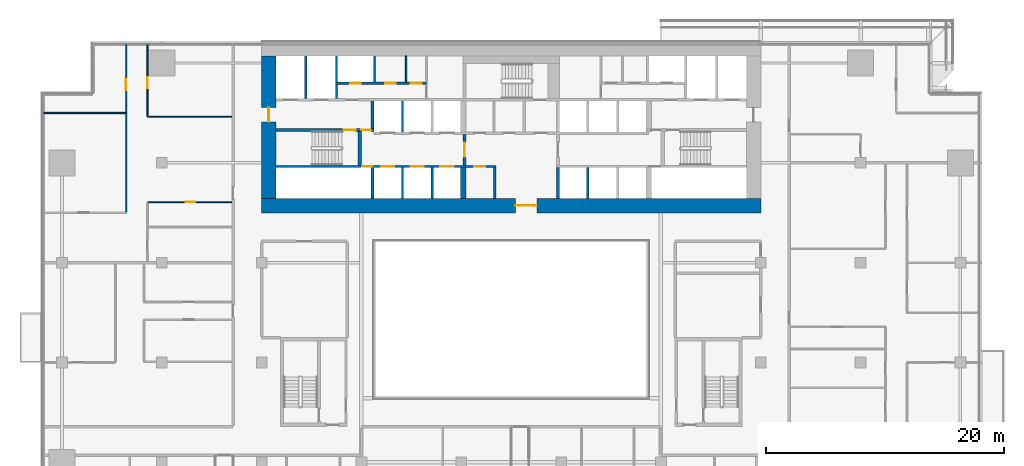
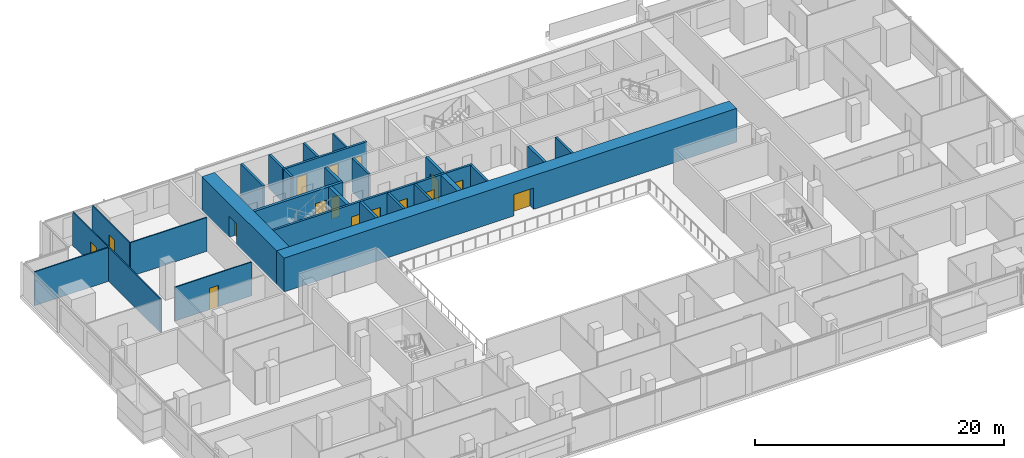
# One storey, part 20 of 29: 26 walls, 16 doors, 16 openings.
"""IFC4 building model written with IfcOpenShell, lengths in metres."""

from ifc_helpers import new_model, si_unit, direction, frame, frame_2d, origin, place, context, subcontext, project, spatial, rectangle, extrude, material, layer, layer_set, type_object, element, fill, save


model = new_model("IFC4")

# Units and contexts
model_context = context("Model", 3, precision=1e-05, world=origin(), true_north=direction((0.0, 1.0)))
body_context = subcontext(model_context, "Body", "Model", "MODEL_VIEW")
ifc_project = project(units=[si_unit("LENGTHUNIT", "METRE"), si_unit("AREAUNIT", "SQUARE_METRE"), si_unit("VOLUMEUNIT", "CUBIC_METRE"), si_unit("PLANEANGLEUNIT", "RADIAN"), si_unit("MASSUNIT", "GRAM", prefix="KILO")], contexts=[model_context])

# Site, building, storey
site_placement = place(None, origin())
site = spatial("IfcSite", under=ifc_project, at=site_placement, CompositionType="ELEMENT")
building_placement = place(site_placement, origin())
building = spatial("IfcBuilding", under=site, at=building_placement, Name="Saffron Gate Tower", CompositionType="ELEMENT")
storey_placement = place(building_placement, frame((0.0, 0.0, 58.800048828125)))
storey = spatial("IfcBuildingStorey", under=building, at=storey_placement, Name="L13", CompositionType="ELEMENT", Elevation=58.800048828125)

# Wall, opening, door
ifc_material_1 = material(Name="Concrete C70", Category="concrete")
ifc_layer_1 = layer(ifc_material_1, 1.199951171875)
ifc_layer_set_1 = layer_set([ifc_layer_1], Name="CW1 RC core wall 1200 C70")
wall_type_1 = type_object("IfcWallType", Name="CW1 RC core wall 1200 C70", PredefinedType="SOLIDWALL", material=ifc_layer_set_1)
wall_1_placement = place(storey_placement, frame((66.60009765625, 61.800048828125, 0.0), z_axis=(0.0, 0.0, 1.0), x_axis=(1.0, 0.0, 0.0)))
wall_1 = element("IfcWall", 1, at=wall_1_placement, inside=storey, type_object=wall_type_1, Name="Wall CW1-L13-1", PredefinedType="SOLIDWALL", context=body_context, shape_type="SweptSolid", body=[
    extrude(rectangle(XDim=42.0, YDim=1.199951171875, at=frame_2d((21.0, 0.0))), origin(), (0.0, 0.0, 1.0), 3.320068359375),
])
opening_1_placement = place(wall_1_placement, frame((21.35009765625, 0.0, 0.0)))
opening_1 = element("IfcOpeningElement", 2, at=opening_1_placement, cuts=wall_1, Name="Opening CR-09", PredefinedType="OPENING", context=body_context, shape_type="SweptSolid", body=[
    extrude(rectangle(XDim=1.800048828125, YDim=2.10009765625, at=frame_2d((0.89990234375, 1.050048828125))), frame((0.0, 0.60986328125, 0.0), z_axis=(0.0, -1.0, 0.0), x_axis=(1.0, 0.0, 0.0)), (0.0, 0.0, 1.0), 1.219970703125),
])
ifc_material_2 = material(Name="Steel fire door set", Category="steel")
door_type_1 = type_object("IfcDoorType", Name="CD1 Core entrance door 1800x2100 EI 120", OperationType="NOTDEFINED", PredefinedType="DOOR", material=ifc_material_2)
door_1_placement = place(opening_1_placement, origin())
door_1 = element("IfcDoor", 3, at=door_1_placement, inside=storey, type_object=door_type_1, Name="DOOR CR-09", OperationType="DOUBLE_DOOR_SINGLE_SWING", OverallHeight=2.10009765625, OverallWidth=1.800048828125, PredefinedType="DOOR", context=body_context, shape_type="SweptSolid", body=[
    extrude(rectangle(XDim=1.800048828125, YDim=2.10009765625, at=frame_2d((0.89990234375, 1.050048828125))), frame((0.0, 0.02490234375, 0.0), z_axis=(0.0, -1.0, 0.0), x_axis=(1.0, 0.0, 0.0)), (0.0, 0.0, 1.0), 0.050048828125),
])
fill(opening_1, door_1)

wall_2_placement = place(storey_placement, frame((67.199951171875, 62.39990234375, 0.0), z_axis=(0.0, 0.0, 1.0), x_axis=(0.0, 1.0, 0.0)))
wall_2 = element("IfcWall", 4, at=wall_2_placement, inside=storey, type_object=wall_type_1, Name="Wall CW1-L13-3", PredefinedType="SOLIDWALL", context=body_context, shape_type="SweptSolid", body=[
    extrude(rectangle(XDim=12.0, YDim=1.199951171875, at=frame_2d((6.0, 0.0))), origin(), (0.0, 0.0, 1.0), 3.320068359375),
])
opening_2_placement = place(wall_2_placement, frame((6.449951171875, 0.0, 0.0)))
opening_2 = element("IfcOpeningElement", 5, at=opening_2_placement, cuts=wall_2, Name="Opening CR-10", PredefinedType="OPENING", context=body_context, shape_type="SweptSolid", body=[
    extrude(rectangle(XDim=1.199951171875, YDim=2.10009765625, at=frame_2d((0.60009765625, 1.050048828125))), frame((0.0, 0.60986328125, 0.0), z_axis=(0.0, -1.0, 0.0), x_axis=(1.0, 0.0, 0.0)), (0.0, 0.0, 1.0), 1.219970703125),
])
door_type_2 = type_object("IfcDoorType", Name="CD7 Core entrance door 1200x2100 EI 120", OperationType="NOTDEFINED", PredefinedType="DOOR", material=ifc_material_2)
door_2_placement = place(opening_2_placement, origin())
door_2 = element("IfcDoor", 6, at=door_2_placement, inside=storey, type_object=door_type_2, Name="DOOR CR-10", OperationType="SINGLE_SWING_LEFT", OverallHeight=2.10009765625, OverallWidth=1.199951171875, PredefinedType="DOOR", context=body_context, shape_type="SweptSolid", body=[
    extrude(rectangle(XDim=1.199951171875, YDim=2.10009765625, at=frame_2d((0.60009765625, 1.050048828125))), frame((0.0, 0.02490234375, 0.0), z_axis=(0.0, -1.0, 0.0), x_axis=(1.0, 0.0, 0.0)), (0.0, 0.0, 1.0), 0.050048828125),
])
fill(opening_2, door_2)

# Walls
ifc_material_3 = material(Name="Gypsum board partition on steel studs", Category="steel")
ifc_layer_2 = layer(ifc_material_3, 0.199951171875)
ifc_layer_set_2 = layer_set([ifc_layer_2], Name="CW10 Core partition 200")
wall_type_2 = type_object("IfcWallType", Name="CW10 Core partition 200", PredefinedType="PARTITIONING", material=ifc_layer_set_2)
wall_3_placement = place(storey_placement, frame((86.199951171875, 62.39990234375, 0.0), z_axis=(0.0, 0.0, 1.0), x_axis=(0.0, 1.0, 0.0)))
element("IfcWall", 7, at=wall_3_placement, inside=storey, type_object=wall_type_2, Name="Wall CW10-L13-9", PredefinedType="PARTITIONING", context=body_context, shape_type="SweptSolid", body=[
    extrude(rectangle(XDim=2.60009765625, YDim=0.199951171875, at=frame_2d((1.300048828125, 0.0))), origin(), (0.0, 0.0, 1.0), 3.320068359375),
])
ifc_layer_3 = layer(ifc_material_1, 0.25)
ifc_layer_set_3 = layer_set([ifc_layer_3], Name="CW2 RC core wall 250 C70")
wall_type_3 = type_object("IfcWallType", Name="CW2 RC core wall 250 C70", PredefinedType="SOLIDWALL", material=ifc_layer_set_3)
for number, where, z_axis, x_axis, name in (
    (8, (75.925048828125, 62.39990234375, 0.0), (0.0, 0.0, 1.0), (0.0, 1.0, 0.0), "Wall CW2-L13-5"),
    (9, (91.52490234375, 62.39990234375, 0.0), (0.0, 0.0, 1.0), (0.0, 1.0, 0.0), "Wall CW2-L13-10"),
):
    element("IfcWall", number, at=place(storey_placement, frame(where, z_axis=z_axis, x_axis=x_axis)), inside=storey, type_object=wall_type_3, Name=name, PredefinedType="SOLIDWALL", context=body_context, shape_type="SweptSolid", body=[
        extrude(rectangle(XDim=2.60009765625, YDim=0.25, at=frame_2d((1.300048828125, 0.0))), origin(), (0.0, 0.0, 1.0), 3.320068359375),
    ])

# Wall, opening, door
wall_4_placement = place(storey_placement, frame((83.675048828125, 65.199951171875, 0.0), z_axis=(0.0, 0.0, 1.0), x_axis=(0.0, 1.0, 0.0)))
wall_4 = element("IfcWall", 10, at=wall_4_placement, inside=storey, type_object=wall_type_3, Name="Wall CW2-L13-17", PredefinedType="SOLIDWALL", context=body_context, shape_type="SweptSolid", body=[
    extrude(rectangle(XDim=2.60009765625, YDim=0.25, at=frame_2d((1.300048828125, 0.0))), origin(), (0.0, 0.0, 1.0), 3.320068359375),
])
opening_3_placement = place(wall_4_placement, frame((0.699951171875, 0.0, 0.0)))
opening_3 = element("IfcOpeningElement", 11, at=opening_3_placement, cuts=wall_4, Name="Opening CR-07", PredefinedType="OPENING", context=body_context, shape_type="SweptSolid", body=[
    extrude(rectangle(XDim=1.199951171875, YDim=2.10009765625, at=frame_2d((0.60009765625, 1.050048828125))), frame((0.0, 0.135009765625, 0.0), z_axis=(0.0, -1.0, 0.0), x_axis=(1.0, 0.0, 0.0)), (0.0, 0.0, 1.0), 0.27001953125),
])
door_type_3 = type_object("IfcDoorType", Name="CD3 Lobby door 1200x2100 EI 120", OperationType="NOTDEFINED", PredefinedType="DOOR", material=ifc_material_2)
door_3_placement = place(opening_3_placement, origin())
door_3 = element("IfcDoor", 12, at=door_3_placement, inside=storey, type_object=door_type_3, Name="DOOR CR-07", OperationType="SINGLE_SWING_RIGHT", OverallHeight=2.10009765625, OverallWidth=1.199951171875, PredefinedType="DOOR", context=body_context, shape_type="SweptSolid", body=[
    extrude(rectangle(XDim=1.199951171875, YDim=2.10009765625, at=frame_2d((0.60009765625, 1.050048828125))), frame((0.0, 0.02490234375, 0.0), z_axis=(0.0, -1.0, 0.0), x_axis=(1.0, 0.0, 0.0)), (0.0, 0.0, 1.0), 0.050048828125),
])
fill(opening_3, door_3)

# Wall, openings, doors
wall_5_placement = place(storey_placement, frame((67.800048828125, 68.175048828125, 0.0), z_axis=(0.0, 0.0, 1.0), x_axis=(1.0, 0.0, 0.0)))
wall_5 = element("IfcWall", 13, at=wall_5_placement, inside=storey, type_object=wall_type_3, Name="Wall CW2-L13-30", PredefinedType="SOLIDWALL", context=body_context, shape_type="SweptSolid", body=[
    extrude(rectangle(XDim=8.25, YDim=0.25, at=frame_2d((4.125, 0.0))), origin(), (0.0, 0.0, 1.0), 3.320068359375),
])
opening_4_placement = place(wall_5_placement, frame((5.699951171875, 0.0, 0.0)))
opening_4 = element("IfcOpeningElement", 14, at=opening_4_placement, cuts=wall_5, Name="Opening CR-15", PredefinedType="OPENING", context=body_context, shape_type="SweptSolid", body=[
    extrude(rectangle(XDim=1.0, YDim=2.10009765625, at=frame_2d((0.5, 1.050048828125))), frame((0.0, 0.135009765625, 0.0), z_axis=(0.0, -1.0, 0.0), x_axis=(1.0, 0.0, 0.0)), (0.0, 0.0, 1.0), 0.27001953125),
])
opening_5_placement = place(wall_5_placement, frame((7.199951171875, 0.0, 0.0)))
opening_5 = element("IfcOpeningElement", 15, at=opening_5_placement, cuts=wall_5, Name="Opening CR-06", PredefinedType="OPENING", context=body_context, shape_type="SweptSolid", body=[
    extrude(rectangle(XDim=0.800048828125, YDim=2.10009765625, at=frame_2d((0.39990234375, 1.050048828125))), frame((0.0, 0.135009765625, 0.0), z_axis=(0.0, -1.0, 0.0), x_axis=(1.0, 0.0, 0.0)), (0.0, 0.0, 1.0), 0.27001953125),
])
door_type_4 = type_object("IfcDoorType", Name="CD5 Stair door 1000x2100 EI 120", OperationType="NOTDEFINED", PredefinedType="DOOR", material=ifc_material_2)
door_4_placement = place(opening_4_placement, origin())
door_4 = element("IfcDoor", 16, at=door_4_placement, inside=storey, type_object=door_type_4, Name="DOOR CR-15", OperationType="SINGLE_SWING_RIGHT", OverallHeight=2.10009765625, OverallWidth=1.0, PredefinedType="DOOR", context=body_context, shape_type="SweptSolid", body=[
    extrude(rectangle(XDim=1.0, YDim=2.10009765625, at=frame_2d((0.5, 1.050048828125))), frame((0.0, 0.02490234375, 0.0), z_axis=(0.0, -1.0, 0.0), x_axis=(1.0, 0.0, 0.0)), (0.0, 0.0, 1.0), 0.050048828125),
])
fill(opening_4, door_4)
door_type_5 = type_object("IfcDoorType", Name="CD6 Lobby door 800x2100 EI 120", OperationType="NOTDEFINED", PredefinedType="DOOR", material=ifc_material_2)
door_5_placement = place(opening_5_placement, origin())
door_5 = element("IfcDoor", 17, at=door_5_placement, inside=storey, type_object=door_type_5, Name="DOOR CR-06", OperationType="SINGLE_SWING_LEFT", OverallHeight=2.10009765625, OverallWidth=0.800048828125, PredefinedType="DOOR", context=body_context, shape_type="SweptSolid", body=[
    extrude(rectangle(XDim=0.800048828125, YDim=2.10009765625, at=frame_2d((0.39990234375, 1.050048828125))), frame((0.0, 0.02490234375, 0.0), z_axis=(0.0, -1.0, 0.0), x_axis=(1.0, 0.0, 0.0)), (0.0, 0.0, 1.0), 0.050048828125),
])
fill(opening_5, door_5)

# Walls
wall_6_placement = place(storey_placement, frame((75.925048828125, 68.300048828125, 0.0), z_axis=(0.0, 0.0, 1.0), x_axis=(0.0, 1.0, 0.0)))
element("IfcWall", 18, at=wall_6_placement, inside=storey, type_object=wall_type_3, Name="Wall CW2-L13-32", PredefinedType="SOLIDWALL", context=body_context, shape_type="SweptSolid", body=[
    extrude(rectangle(XDim=2.300048828125, YDim=0.25, at=frame_2d((1.14990234375, 0.0))), origin(), (0.0, 0.0, 1.0), 3.320068359375),
])
ifc_layer_4 = layer(ifc_material_1, 0.199951171875)
ifc_layer_set_4 = layer_set([ifc_layer_4], Name="CW3 RC core wall 200 C70")
wall_type_4 = type_object("IfcWallType", Name="CW3 RC core wall 200 C70", PredefinedType="SOLIDWALL", material=ifc_layer_set_4)
for number, where, z_axis, x_axis, name in (
    (19, (78.449951171875, 62.39990234375, 0.0), (0.0, 0.0, 1.0), (0.0, 1.0, 0.0), "Wall CW3-L13-6"),
    (20, (80.949951171875, 62.39990234375, 0.0), (0.0, 0.0, 1.0), (0.0, 1.0, 0.0), "Wall CW3-L13-7"),
    (21, (94.050048828125, 62.39990234375, 0.0), (0.0, 0.0, 1.0), (0.0, 1.0, 0.0), "Wall CW3-L13-11"),
):
    element("IfcWall", number, at=place(storey_placement, frame(where, z_axis=z_axis, x_axis=x_axis)), inside=storey, type_object=wall_type_4, Name=name, PredefinedType="SOLIDWALL", context=body_context, shape_type="SweptSolid", body=[
        extrude(rectangle(XDim=2.60009765625, YDim=0.199951171875, at=frame_2d((1.300048828125, 0.0))), origin(), (0.0, 0.0, 1.0), 3.320068359375),
    ])

# Wall, openings, doors
wall_7_placement = place(storey_placement, frame((67.800048828125, 65.10009765625, 0.0), z_axis=(0.0, 0.0, 1.0), x_axis=(1.0, 0.0, 0.0)))
wall_7 = element("IfcWall", 22, at=wall_7_placement, inside=storey, type_object=wall_type_4, Name="Wall CW3-L13-14", PredefinedType="SOLIDWALL", context=body_context, shape_type="SweptSolid", body=[
    extrude(rectangle(XDim=18.5, YDim=0.199951171875, at=frame_2d((9.25, 0.0))), origin(), (0.0, 0.0, 1.0), 3.320068359375),
])
opening_6_placement = place(wall_7_placement, frame((7.27001953125, 0.0, 0.0)))
opening_6 = element("IfcOpeningElement", 23, at=opening_6_placement, cuts=wall_7, Name="Opening CR-49", PredefinedType="OPENING", context=body_context, shape_type="SweptSolid", body=[
    extrude(rectangle(XDim=0.89990234375, YDim=2.10009765625, at=frame_2d((0.449951171875, 1.050048828125))), frame((0.0, 0.10986328125, 0.0), z_axis=(0.0, -1.0, 0.0), x_axis=(1.0, 0.0, 0.0)), (0.0, 0.0, 1.0), 0.219970703125),
])
opening_7_placement = place(wall_7_placement, frame((8.85009765625, 0.0, 0.0)))
opening_7 = element("IfcOpeningElement", 24, at=opening_7_placement, cuts=wall_7, Name="Opening LD-LR1", PredefinedType="OPENING", context=body_context, shape_type="SweptSolid", body=[
    extrude(rectangle(XDim=1.10009765625, YDim=2.10009765625, at=frame_2d((0.550048828125, 1.050048828125))), frame((0.0, 0.10986328125, 0.0), z_axis=(0.0, -1.0, 0.0), x_axis=(1.0, 0.0, 0.0)), (0.0, 0.0, 1.0), 0.219970703125),
])
opening_8_placement = place(wall_7_placement, frame((11.35009765625, 0.0, 0.0)))
opening_8 = element("IfcOpeningElement", 25, at=opening_8_placement, cuts=wall_7, Name="Opening LD-LR2", PredefinedType="OPENING", context=body_context, shape_type="SweptSolid", body=[
    extrude(rectangle(XDim=1.10009765625, YDim=2.10009765625, at=frame_2d((0.550048828125, 1.050048828125))), frame((0.0, 0.10986328125, 0.0), z_axis=(0.0, -1.0, 0.0), x_axis=(1.0, 0.0, 0.0)), (0.0, 0.0, 1.0), 0.219970703125),
])
opening_9_placement = place(wall_7_placement, frame((13.85009765625, 0.0, 0.0)))
opening_9 = element("IfcOpeningElement", 26, at=opening_9_placement, cuts=wall_7, Name="Opening LD-LR3", PredefinedType="OPENING", context=body_context, shape_type="SweptSolid", body=[
    extrude(rectangle(XDim=1.10009765625, YDim=2.10009765625, at=frame_2d((0.550048828125, 1.050048828125))), frame((0.0, 0.10986328125, 0.0), z_axis=(0.0, -1.0, 0.0), x_axis=(1.0, 0.0, 0.0)), (0.0, 0.0, 1.0), 0.219970703125),
])
opening_10_placement = place(wall_7_placement, frame((16.699951171875, 0.0, 0.0)))
opening_10 = element("IfcOpeningElement", 27, at=opening_10_placement, cuts=wall_7, Name="Opening CR-69", PredefinedType="OPENING", context=body_context, shape_type="SweptSolid", body=[
    extrude(rectangle(XDim=0.89990234375, YDim=2.10009765625, at=frame_2d((0.449951171875, 1.050048828125))), frame((0.0, 0.10986328125, 0.0), z_axis=(0.0, -1.0, 0.0), x_axis=(1.0, 0.0, 0.0)), (0.0, 0.0, 1.0), 0.219970703125),
])
door_type_6 = type_object("IfcDoorType", Name="CD2 Riser door 900x2100 EI 60", OperationType="NOTDEFINED", PredefinedType="DOOR", material=ifc_material_2)
door_6_placement = place(opening_6_placement, origin())
door_6 = element("IfcDoor", 28, at=door_6_placement, inside=storey, type_object=door_type_6, Name="DOOR CR-49", OperationType="SINGLE_SWING_LEFT", OverallHeight=2.10009765625, OverallWidth=0.89990234375, PredefinedType="DOOR", context=body_context, shape_type="SweptSolid", body=[
    extrude(rectangle(XDim=0.89990234375, YDim=2.10009765625, at=frame_2d((0.449951171875, 1.050048828125))), frame((0.0, 0.02490234375, 0.0), z_axis=(0.0, -1.0, 0.0), x_axis=(1.0, 0.0, 0.0)), (0.0, 0.0, 1.0), 0.050048828125),
])
fill(opening_6, door_6)
door_type_7 = type_object("IfcDoorType", Name="CD9 Room door 900x2100 EI 60", OperationType="NOTDEFINED", PredefinedType="DOOR", material=ifc_material_2)
door_7_placement = place(opening_10_placement, origin())
door_7 = element("IfcDoor", 29, at=door_7_placement, inside=storey, type_object=door_type_7, Name="DOOR CR-69", OperationType="SINGLE_SWING_RIGHT", OverallHeight=2.10009765625, OverallWidth=0.89990234375, PredefinedType="DOOR", context=body_context, shape_type="SweptSolid", body=[
    extrude(rectangle(XDim=0.89990234375, YDim=2.10009765625, at=frame_2d((0.449951171875, 1.050048828125))), frame((0.0, 0.02490234375, 0.0), z_axis=(0.0, -1.0, 0.0), x_axis=(1.0, 0.0, 0.0)), (0.0, 0.0, 1.0), 0.050048828125),
])
fill(opening_10, door_7)
ifc_material_4 = material(Name="Stainless steel landing door", Category="steel")
door_type_8 = type_object("IfcDoorType", Name="LD Lift landing door 1100x2100 EI 120", OperationType="SLIDING_TO_LEFT", PredefinedType="DOOR", material=ifc_material_4)
door_8_placement = place(opening_7_placement, origin())
door_8 = element("IfcDoor", 30, at=door_8_placement, inside=storey, type_object=door_type_8, Name="LANDING DOOR LD-LR1", OperationType="SLIDING_TO_LEFT", OverallHeight=2.10009765625, OverallWidth=1.10009765625, PredefinedType="DOOR", context=body_context, shape_type="SweptSolid", body=[
    extrude(rectangle(XDim=1.10009765625, YDim=2.10009765625, at=frame_2d((0.550048828125, 1.050048828125))), frame((0.0, 0.02490234375, 0.0), z_axis=(0.0, -1.0, 0.0), x_axis=(1.0, 0.0, 0.0)), (0.0, 0.0, 1.0), 0.050048828125),
])
fill(opening_7, door_8)
door_9_placement = place(opening_8_placement, origin())
door_9 = element("IfcDoor", 31, at=door_9_placement, inside=storey, type_object=door_type_8, Name="LANDING DOOR LD-LR2", OperationType="SLIDING_TO_LEFT", OverallHeight=2.10009765625, OverallWidth=1.10009765625, PredefinedType="DOOR", context=body_context, shape_type="SweptSolid", body=[
    extrude(rectangle(XDim=1.10009765625, YDim=2.10009765625, at=frame_2d((0.550048828125, 1.050048828125))), frame((0.0, 0.02490234375, 0.0), z_axis=(0.0, -1.0, 0.0), x_axis=(1.0, 0.0, 0.0)), (0.0, 0.0, 1.0), 0.050048828125),
])
fill(opening_8, door_9)
door_10_placement = place(opening_9_placement, origin())
door_10 = element("IfcDoor", 32, at=door_10_placement, inside=storey, type_object=door_type_8, Name="LANDING DOOR LD-LR3", OperationType="SLIDING_TO_LEFT", OverallHeight=2.10009765625, OverallWidth=1.10009765625, PredefinedType="DOOR", context=body_context, shape_type="SweptSolid", body=[
    extrude(rectangle(XDim=1.10009765625, YDim=2.10009765625, at=frame_2d((0.550048828125, 1.050048828125))), frame((0.0, 0.02490234375, 0.0), z_axis=(0.0, -1.0, 0.0), x_axis=(1.0, 0.0, 0.0)), (0.0, 0.0, 1.0), 0.050048828125),
])
fill(opening_9, door_10)

# Walls
wall_8_placement = place(storey_placement, frame((78.449951171875, 68.0, 0.0), z_axis=(0.0, 0.0, 1.0), x_axis=(0.0, 1.0, 0.0)))
element("IfcWall", 33, at=wall_8_placement, inside=storey, type_object=wall_type_4, Name="Wall CW3-L13-21", PredefinedType="SOLIDWALL", context=body_context, shape_type="SweptSolid", body=[
    extrude(rectangle(XDim=2.60009765625, YDim=0.199951171875, at=frame_2d((1.300048828125, 0.0))), origin(), (0.0, 0.0, 1.0), 3.320068359375),
])
wall_9_placement = place(storey_placement, frame((70.300048828125, 70.800048828125, 0.0), z_axis=(0.0, 0.0, 1.0), x_axis=(0.0, 1.0, 0.0)))
element("IfcWall", 34, at=wall_9_placement, inside=storey, type_object=wall_type_4, Name="Wall CW3-L13-35", PredefinedType="SOLIDWALL", context=body_context, shape_type="SweptSolid", body=[
    extrude(rectangle(XDim=3.599853515625, YDim=0.199951171875, at=frame_2d((1.7998046875, 0.0))), origin(), (0.0, 0.0, 1.0), 3.320068359375),
])
wall_10_placement = place(storey_placement, frame((72.89990234375, 70.800048828125, 0.0), z_axis=(0.0, 0.0, 1.0), x_axis=(0.0, 1.0, 0.0)))
element("IfcWall", 35, at=wall_10_placement, inside=storey, type_object=wall_type_4, Name="Wall CW3-L13-36", PredefinedType="SOLIDWALL", context=body_context, shape_type="SweptSolid", body=[
    extrude(rectangle(XDim=1.199951171875, YDim=0.199951171875, at=frame_2d((0.60009765625, 0.0))), origin(), (0.0, 0.0, 1.0), 3.320068359375),
])

# Wall, openings, doors
wall_11_placement = place(storey_placement, frame((72.800048828125, 72.10009765625, 0.0), z_axis=(0.0, 0.0, 1.0), x_axis=(1.0, 0.0, 0.0)))
wall_11 = element("IfcWall", 36, at=wall_11_placement, inside=storey, type_object=wall_type_4, Name="Wall CW3-L13-43", PredefinedType="SOLIDWALL", context=body_context, shape_type="SweptSolid", body=[
    extrude(rectangle(XDim=7.719970703125, YDim=0.199951171875, at=frame_2d((3.85986328125, 0.0))), origin(), (0.0, 0.0, 1.0), 3.320068359375),
])
opening_11_placement = place(wall_11_placement, frame((1.25, 0.0, 0.0)))
opening_11 = element("IfcOpeningElement", 37, at=opening_11_placement, cuts=wall_11, Name="Opening CR-71", PredefinedType="OPENING", context=body_context, shape_type="SweptSolid", body=[
    extrude(rectangle(XDim=0.89990234375, YDim=2.10009765625, at=frame_2d((0.449951171875, 1.050048828125))), frame((0.0, 0.10986328125, 0.0), z_axis=(0.0, -1.0, 0.0), x_axis=(1.0, 0.0, 0.0)), (0.0, 0.0, 1.0), 0.219970703125),
])
opening_12_placement = place(wall_11_placement, frame((4.199951171875, 0.0, 0.0)))
opening_12 = element("IfcOpeningElement", 38, at=opening_12_placement, cuts=wall_11, Name="Opening CR-55", PredefinedType="OPENING", context=body_context, shape_type="SweptSolid", body=[
    extrude(rectangle(XDim=0.89990234375, YDim=2.10009765625, at=frame_2d((0.449951171875, 1.050048828125))), frame((0.0, 0.10986328125, 0.0), z_axis=(0.0, -1.0, 0.0), x_axis=(1.0, 0.0, 0.0)), (0.0, 0.0, 1.0), 0.219970703125),
])
opening_13_placement = place(wall_11_placement, frame((6.360107421875, 0.0, 0.0)))
opening_13 = element("IfcOpeningElement", 39, at=opening_13_placement, cuts=wall_11, Name="Opening CR-58", PredefinedType="OPENING", context=body_context, shape_type="SweptSolid", body=[
    extrude(rectangle(XDim=0.89990234375, YDim=2.10009765625, at=frame_2d((0.449951171875, 1.050048828125))), frame((0.0, 0.10986328125, 0.0), z_axis=(0.0, -1.0, 0.0), x_axis=(1.0, 0.0, 0.0)), (0.0, 0.0, 1.0), 0.219970703125),
])
door_11_placement = place(opening_11_placement, origin())
door_11 = element("IfcDoor", 40, at=door_11_placement, inside=storey, type_object=door_type_6, Name="DOOR CR-71", OperationType="SINGLE_SWING_LEFT", OverallHeight=2.10009765625, OverallWidth=0.89990234375, PredefinedType="DOOR", context=body_context, shape_type="SweptSolid", body=[
    extrude(rectangle(XDim=0.89990234375, YDim=2.10009765625, at=frame_2d((0.449951171875, 1.050048828125))), frame((0.0, 0.02490234375, 0.0), z_axis=(0.0, -1.0, 0.0), x_axis=(1.0, 0.0, 0.0)), (0.0, 0.0, 1.0), 0.050048828125),
])
fill(opening_11, door_11)
door_12_placement = place(opening_12_placement, origin())
door_12 = element("IfcDoor", 41, at=door_12_placement, inside=storey, type_object=door_type_7, Name="DOOR CR-55", OperationType="SINGLE_SWING_LEFT", OverallHeight=2.10009765625, OverallWidth=0.89990234375, PredefinedType="DOOR", context=body_context, shape_type="SweptSolid", body=[
    extrude(rectangle(XDim=0.89990234375, YDim=2.10009765625, at=frame_2d((0.449951171875, 1.050048828125))), frame((0.0, 0.02490234375, 0.0), z_axis=(0.0, -1.0, 0.0), x_axis=(1.0, 0.0, 0.0)), (0.0, 0.0, 1.0), 0.050048828125),
])
fill(opening_12, door_12)
door_13_placement = place(opening_13_placement, origin())
door_13 = element("IfcDoor", 42, at=door_13_placement, inside=storey, type_object=door_type_7, Name="DOOR CR-58", OperationType="SINGLE_SWING_LEFT", OverallHeight=2.10009765625, OverallWidth=0.89990234375, PredefinedType="DOOR", context=body_context, shape_type="SweptSolid", body=[
    extrude(rectangle(XDim=0.89990234375, YDim=2.10009765625, at=frame_2d((0.449951171875, 1.050048828125))), frame((0.0, 0.02490234375, 0.0), z_axis=(0.0, -1.0, 0.0), x_axis=(1.0, 0.0, 0.0)), (0.0, 0.0, 1.0), 0.050048828125),
])
fill(opening_13, door_13)

# Walls
for number, where, z_axis, x_axis, name in (
    (43, (72.89990234375, 72.199951171875, 0.0), (0.0, 0.0, 1.0), (0.0, 1.0, 0.0), "Wall CW3-L13-45"),
    (44, (76.10009765625, 72.199951171875, 0.0), (0.0, 0.0, 1.0), (0.0, 1.0, 0.0), "Wall CW3-L13-46"),
):
    element("IfcWall", number, at=place(storey_placement, frame(where, z_axis=z_axis, x_axis=x_axis)), inside=storey, type_object=wall_type_4, Name=name, PredefinedType="SOLIDWALL", context=body_context, shape_type="SweptSolid", body=[
        extrude(rectangle(XDim=2.199951171875, YDim=0.199951171875, at=frame_2d((1.10009765625, 0.0))), origin(), (0.0, 0.0, 1.0), 3.320068359375),
    ])
ifc_layer_5 = layer(ifc_material_1, 0.449951171875)
ifc_layer_set_5 = layer_set([ifc_layer_5], Name="CW4 RC core wall 450 C70")
wall_type_5 = type_object("IfcWallType", Name="CW4 RC core wall 450 C70", PredefinedType="SOLIDWALL", material=ifc_layer_set_5)
wall_12_placement = place(storey_placement, frame((83.574951171875, 62.39990234375, 0.0), z_axis=(0.0, 0.0, 1.0), x_axis=(0.0, 1.0, 0.0)))
element("IfcWall", 45, at=wall_12_placement, inside=storey, type_object=wall_type_5, Name="Wall CW4-L13-8", PredefinedType="SOLIDWALL", context=body_context, shape_type="SweptSolid", body=[
    extrude(rectangle(XDim=2.60009765625, YDim=0.449951171875, at=frame_2d((1.300048828125, 0.0))), origin(), (0.0, 0.0, 1.0), 3.320068359375),
])
ifc_layer_6 = layer(ifc_material_1, 0.300048828125)
ifc_layer_set_6 = layer_set([ifc_layer_6], Name="CW5 RC core wall 300 C70")
wall_type_6 = type_object("IfcWallType", Name="CW5 RC core wall 300 C70", PredefinedType="SOLIDWALL", material=ifc_layer_set_6)
wall_13_placement = place(storey_placement, frame((74.85009765625, 65.199951171875, 0.0), z_axis=(0.0, 0.0, 1.0), x_axis=(0.0, 1.0, 0.0)))
element("IfcWall", 46, at=wall_13_placement, inside=storey, type_object=wall_type_6, Name="Wall CW5-L13-16", PredefinedType="SOLIDWALL", context=body_context, shape_type="SweptSolid", body=[
    extrude(rectangle(XDim=2.85009765625, YDim=0.300048828125, at=frame_2d((1.425048828125, 0.0))), origin(), (0.0, 0.0, 1.0), 3.320068359375),
])
ifc_layer_7 = layer(ifc_material_3, 0.1201171875)
ifc_layer_set_7 = layer_set([ifc_layer_7], Name="CW8 Core partition 120")
wall_type_7 = type_object("IfcWallType", Name="CW8 Core partition 120", PredefinedType="PARTITIONING", material=ifc_layer_set_7)
wall_14_placement = place(storey_placement, frame((78.760009765625, 72.199951171875, 0.0), z_axis=(0.0, 0.0, 1.0), x_axis=(0.0, 1.0, 0.0)))
element("IfcWall", 47, at=wall_14_placement, inside=storey, type_object=wall_type_7, Name="Wall CW8-L13-47", PredefinedType="PARTITIONING", context=body_context, shape_type="SweptSolid", body=[
    extrude(rectangle(XDim=2.199951171875, YDim=0.1201171875, at=frame_2d((1.10009765625, 0.0))), origin(), (0.0, 0.0, 1.0), 3.320068359375),
])

# Wall, opening, door
ifc_material_5 = material(Name="Plasterboard on steel studs", Category="steel")
ifc_layer_8 = layer(ifc_material_5, 0.10009765625)
ifc_layer_set_8 = layer_set([ifc_layer_8], Name="PW1 Partition 100")
wall_type_8 = type_object("IfcWallType", Name="PW1 Partition 100", PredefinedType="PARTITIONING", material=ifc_layer_set_8)
wall_15_placement = place(storey_placement, frame((64.10009765625, 62.10009765625, 0.0), z_axis=(0.0, 0.0, 1.0), x_axis=(-1.0, 0.0, 0.0)))
wall_15 = element("IfcWall", 48, at=wall_15_placement, inside=storey, type_object=wall_type_8, Name="Partition A3-43", PredefinedType="PARTITIONING", context=body_context, shape_type="SweptSolid", body=[
    extrude(rectangle(XDim=7.10009765625, YDim=0.10009765625, at=frame_2d((3.550048828125, 0.0))), origin(), (0.0, 0.0, 1.0), 3.320068359375),
])
opening_14_placement = place(wall_15_placement, frame((3.10009765625, 0.0, 0.0)))
opening_14 = element("IfcOpeningElement", 49, at=opening_14_placement, cuts=wall_15, Name="Opening A3-45", PredefinedType="OPENING", context=body_context, shape_type="SweptSolid", body=[
    extrude(rectangle(XDim=0.800048828125, YDim=2.10009765625, at=frame_2d((0.39990234375, 1.050048828125))), frame((0.0, 0.06005859375, 0.0), z_axis=(0.0, -1.0, 0.0), x_axis=(1.0, 0.0, 0.0)), (0.0, 0.0, 1.0), 0.1201171875),
])
ifc_material_6 = material(Name="Timber door set", Category="wood")
door_type_9 = type_object("IfcDoorType", Name="RD2 Bathroom door 800x2100", OperationType="NOTDEFINED", PredefinedType="DOOR", material=ifc_material_6)
door_14_placement = place(opening_14_placement, origin())
door_14 = element("IfcDoor", 50, at=door_14_placement, inside=storey, type_object=door_type_9, Name="Door A3-45", OperationType="SINGLE_SWING_LEFT", OverallHeight=2.10009765625, OverallWidth=0.800048828125, PredefinedType="DOOR", context=body_context, shape_type="SweptSolid", body=[
    extrude(rectangle(XDim=0.800048828125, YDim=2.10009765625, at=frame_2d((0.39990234375, 1.050048828125))), frame((0.0, 0.02490234375, 0.0), z_axis=(0.0, -1.0, 0.0), x_axis=(1.0, 0.0, 0.0)), (0.0, 0.0, 1.0), 0.050048828125),
])
fill(opening_14, door_14)

# Walls
wall_16_placement = place(storey_placement, frame((57.0, 69.29443359375, 0.0), z_axis=(0.0, 0.0, 1.0), x_axis=(1.0, 0.0, 0.0)))
element("IfcWall", 51, at=wall_16_placement, inside=storey, type_object=wall_type_8, Name="Partition A3-48", PredefinedType="PARTITIONING", context=body_context, shape_type="SweptSolid", body=[
    extrude(rectangle(XDim=7.10009765625, YDim=0.10009765625, at=frame_2d((3.550048828125, 0.0))), origin(), (0.0, 0.0, 1.0), 3.320068359375),
])
wall_17_placement = place(storey_placement, frame((48.280029296875, 69.60009765625, 0.0), z_axis=(0.0, 0.0, 1.0), x_axis=(1.0, 0.0, 0.0)))
element("IfcWall", 52, at=wall_17_placement, inside=storey, type_object=wall_type_8, Name="Partition A3-49", PredefinedType="PARTITIONING", context=body_context, shape_type="SweptSolid", body=[
    extrude(rectangle(XDim=6.869873046875, YDim=0.10009765625, at=frame_2d((3.43505859375, 0.0))), origin(), (0.0, 0.0, 1.0), 3.320068359375),
])

# Wall, opening, door
wall_18_placement = place(storey_placement, frame((55.199951171875, 61.25, 0.0), z_axis=(0.0, 0.0, 1.0), x_axis=(0.0, 1.0, 0.0)))
wall_18 = element("IfcWall", 53, at=wall_18_placement, inside=storey, type_object=wall_type_8, Name="Partition A3-53", PredefinedType="PARTITIONING", context=body_context, shape_type="SweptSolid", body=[
    extrude(rectangle(XDim=14.070068359375, YDim=0.10009765625, at=frame_2d((7.03515625, 0.0))), origin(), (0.0, 0.0, 1.0), 3.320068359375),
])
opening_15_placement = place(wall_18_placement, frame((10.27880859375, 0.0, 0.0)))
opening_15 = element("IfcOpeningElement", 54, at=opening_15_placement, cuts=wall_18, Name="Opening A3-28", PredefinedType="OPENING", context=body_context, shape_type="SweptSolid", body=[
    extrude(rectangle(XDim=0.89990234375, YDim=2.10009765625, at=frame_2d((0.449951171875, 1.050048828125))), frame((0.0, 0.06005859375, 0.0), z_axis=(0.0, -1.0, 0.0), x_axis=(1.0, 0.0, 0.0)), (0.0, 0.0, 1.0), 0.1201171875),
])
door_type_10 = type_object("IfcDoorType", Name="RD1 Room door 900x2100", OperationType="NOTDEFINED", PredefinedType="DOOR", material=ifc_material_6)
door_15_placement = place(opening_15_placement, origin())
door_15 = element("IfcDoor", 55, at=door_15_placement, inside=storey, type_object=door_type_10, Name="Door A3-28", OperationType="SINGLE_SWING_LEFT", OverallHeight=2.10009765625, OverallWidth=0.89990234375, PredefinedType="DOOR", context=body_context, shape_type="SweptSolid", body=[
    extrude(rectangle(XDim=0.89990234375, YDim=2.10009765625, at=frame_2d((0.449951171875, 1.050048828125))), frame((0.0, 0.02490234375, 0.0), z_axis=(0.0, -1.0, 0.0), x_axis=(1.0, 0.0, 0.0)), (0.0, 0.0, 1.0), 0.050048828125),
])
fill(opening_15, door_15)

wall_19_placement = place(storey_placement, frame((57.0, 75.320068359375, 0.0), z_axis=(0.0, 0.0, 1.0), x_axis=(0.0, -1.0, 0.0)))
wall_19 = element("IfcWall", 56, at=wall_19_placement, inside=storey, type_object=wall_type_8, Name="Partition A3-58", PredefinedType="PARTITIONING", context=body_context, shape_type="SweptSolid", body=[
    extrude(rectangle(XDim=5.9755859375, YDim=0.10009765625, at=frame_2d((2.98779296875, 0.0))), origin(), (0.0, 0.0, 1.0), 3.320068359375),
])
opening_16_placement = place(wall_19_placement, frame((2.722900390625, 0.0, 0.0)))
opening_16 = element("IfcOpeningElement", 57, at=opening_16_placement, cuts=wall_19, Name="Opening A3-29", PredefinedType="OPENING", context=body_context, shape_type="SweptSolid", body=[
    extrude(rectangle(XDim=0.89990234375, YDim=2.10009765625, at=frame_2d((0.449951171875, 1.050048828125))), frame((0.0, 0.06005859375, 0.0), z_axis=(0.0, -1.0, 0.0), x_axis=(1.0, 0.0, 0.0)), (0.0, 0.0, 1.0), 0.1201171875),
])
door_16_placement = place(opening_16_placement, origin())
door_16 = element("IfcDoor", 58, at=door_16_placement, inside=storey, type_object=door_type_10, Name="Door A3-29", OperationType="SINGLE_SWING_RIGHT", OverallHeight=2.10009765625, OverallWidth=0.89990234375, PredefinedType="DOOR", context=body_context, shape_type="SweptSolid", body=[
    extrude(rectangle(XDim=0.89990234375, YDim=2.10009765625, at=frame_2d((0.449951171875, 1.050048828125))), frame((0.0, 0.02490234375, 0.0), z_axis=(0.0, -1.0, 0.0), x_axis=(1.0, 0.0, 0.0)), (0.0, 0.0, 1.0), 0.050048828125),
])
fill(opening_16, door_16)

save(model, "model.ifc")
